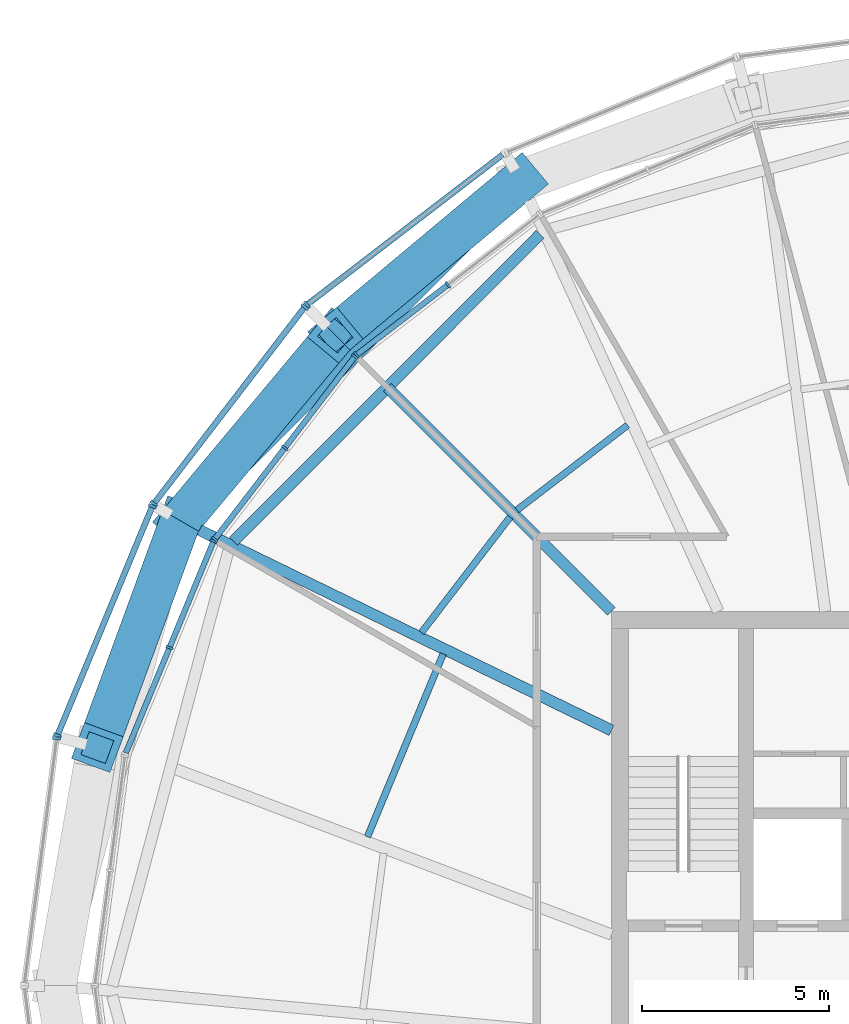
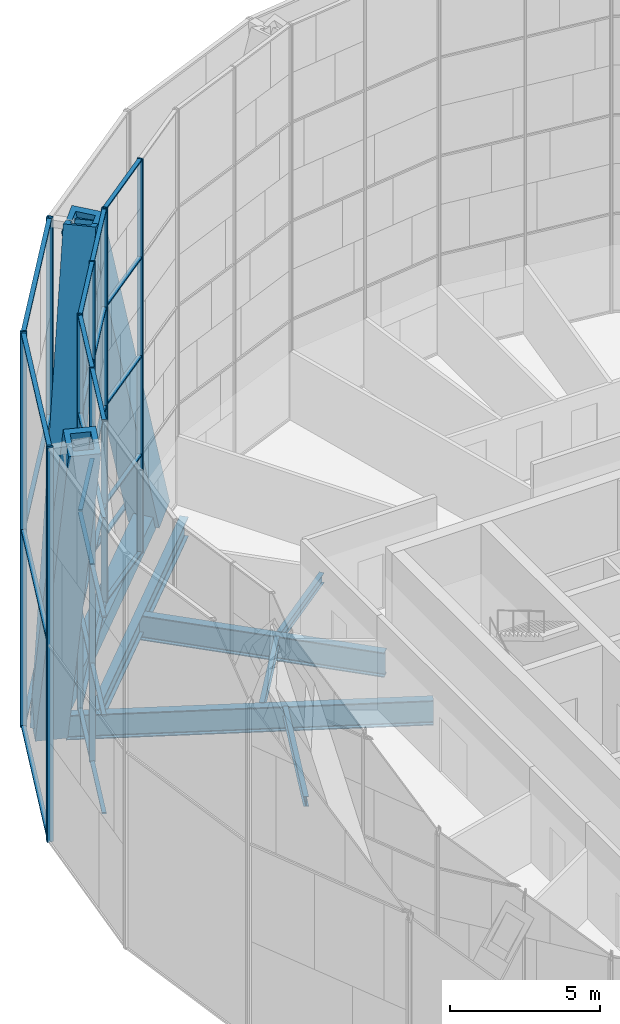
# One storey, part 8 of 28: 48 members, 7 beams, 7 elements without a shape of their own.
"""IFC4 building model written with IfcOpenShell, lengths in metres."""

from ifc_helpers import new_model, si_unit, direction, frame, origin, origin_2d, place, context, subcontext, project, spatial, rectangle, hollow_rectangle, i_section, extrude, material, material_profile, profile_set, type_object, element, aggregate, save


model = new_model("IFC4")

# Units and contexts
model_context = context("Model", 3, precision=1e-05, world=origin(), true_north=direction((0.0, 1.0)))
body_context = subcontext(model_context, "Body", "Model", "MODEL_VIEW")
ifc_project = project(units=[si_unit("LENGTHUNIT", "METRE"), si_unit("AREAUNIT", "SQUARE_METRE"), si_unit("VOLUMEUNIT", "CUBIC_METRE"), si_unit("PLANEANGLEUNIT", "RADIAN"), si_unit("MASSUNIT", "GRAM", prefix="KILO")], contexts=[model_context])

# Site, building, storey
site_placement = place(None, origin())
site = spatial("IfcSite", under=ifc_project, at=site_placement, CompositionType="ELEMENT")
building_placement = place(site_placement, origin())
building = spatial("IfcBuilding", under=site, at=building_placement, Name="Golbaran Civic Tower", CompositionType="ELEMENT")
storey_placement = place(building_placement, frame((0.0, 0.0, 183.0)))
storey = spatial("IfcBuildingStorey", under=building, at=storey_placement, Name="L44", CompositionType="ELEMENT", Elevation=183.0)

# Members
ifc_material_1 = material(Name="Steel S355", Category="steel")
ifc_material_profile_1 = material_profile(ifc_material_1, hollow_rectangle(XDim=1.10009765625, YDim=1.10009765625, WallThickness=0.199951171875, at=origin_2d()), Name="BOX 1100x1100x200")
ifc_profile_set_1 = profile_set([ifc_material_profile_1], Name="Steel S355")
member_type_1 = type_object("IfcMemberType", Name="DIAGRID DIAGONAL BOX 1100x1100x200", PredefinedType="BRACE", material=ifc_profile_set_1)
for number, where, z_axis, x_axis, name in (
    (1, (-12.423583984375, 21.51806640625, -0.7099609375), (-0.287218522204, -0.239886471914, 0.927340283335), (0.641031997067, -0.767514155398, 0.0), "Diagonal D10-04R L44-L48"),
    (2, (-21.51806640625, 12.423583984375, -0.7099609375), (-0.128807878317, -0.351359818356, 0.927337483621), (0.938897090127, -0.344197986848, 0.0), "Diagonal D10-05R L44-L48"),
    (3, (-21.51806640625, 12.423583984375, -0.7099609375), (0.239886471914, 0.287218522204, 0.927340283335), (-0.767514155398, 0.641031997067, 0.0), "Diagonal D10-05L L44-L48"),
):
    element("IfcMember", number, at=place(storey_placement, frame(where, z_axis=z_axis, x_axis=x_axis)), inside=storey, type_object=member_type_1, Name=name, PredefinedType="BRACE", context=body_context, shape_type="SweptSolid", body=[
        extrude(hollow_rectangle(XDim=1.10009765625, YDim=1.10009765625, WallThickness=0.199951171875, at=origin_2d()), origin(), (0.0, 0.0, 1.0), 17.253662109375),
    ])

# Beams
ifc_material_profile_2 = material_profile(ifc_material_1, hollow_rectangle(XDim=0.699951171875, YDim=0.699951171875, WallThickness=0.080078125, at=origin_2d()), Name="BOX 700x700x80")
ifc_profile_set_2 = profile_set([ifc_material_profile_2], Name="Steel S355")
beam_type_1 = type_object("IfcBeamType", Name="DIAGRID RING TIE BOX 700x700x80", PredefinedType="BEAM", material=ifc_profile_set_2)
beam_1_placement = place(storey_placement, frame((-12.423583984375, 21.51806640625, -0.7099609375), z_axis=(-0.707106781187, -0.707106781187, 0.0), x_axis=(0.707106781187, -0.707106781187, 0.0)))
element("IfcBeam", 4, at=beam_1_placement, inside=storey, type_object=beam_type_1, Name="Ring tie 120.00 L44", PredefinedType="BEAM", context=body_context, shape_type="SweptSolid", body=[
    extrude(hollow_rectangle(XDim=0.699951171875, YDim=0.699951171875, WallThickness=0.080078125, at=origin_2d()), origin(), (0.0, 0.0, 1.0), 12.861572265625),
])
ifc_material_profile_3 = material_profile(ifc_material_1, i_section(OverallWidth=0.300048828125, OverallDepth=0.800048828125, WebThickness=0.017578125, FlangeThickness=0.032958984375, FilletRadius=0.030029296875, at=origin_2d()), Name="HEB 800")
ifc_profile_set_3 = profile_set([ifc_material_profile_3], Name="Steel S355")
beam_type_2 = type_object("IfcBeamType", Name="EDGE BEAM HEB 800", PredefinedType="BEAM", material=ifc_profile_set_3)
beam_2_placement = place(storey_placement, frame((-11.906494140625, 20.07861328125, -0.60009765625), z_axis=(-0.706601088042, -0.707612112939, 0.0), x_axis=(0.707612112939, -0.706601088042, 0.0)))
element("IfcBeam", 5, at=beam_2_placement, inside=storey, type_object=beam_type_2, Name="Edge beam 120.00 L44", PredefinedType="BEAM", context=body_context, shape_type="SweptSolid", body=[
    extrude(i_section(OverallWidth=0.300048828125, OverallDepth=0.800048828125, WebThickness=0.017578125, FlangeThickness=0.032958984375, FilletRadius=0.030029296875, at=origin_2d()), origin(), (0.0, 0.0, 1.0), 11.591064453125),
])
ifc_material_profile_4 = material_profile(ifc_material_1, i_section(OverallWidth=0.179931640625, OverallDepth=0.39990234375, WebThickness=0.008544921875, FlangeThickness=0.013427734375, FilletRadius=0.02099609375, at=origin_2d()), Name="IPE 400")
ifc_profile_set_4 = profile_set([ifc_material_profile_4], Name="Steel S355")
beam_type_3 = type_object("IfcBeamType", Name="FLOOR INFILL BEAM IPE 400", PredefinedType="BEAM", material=ifc_profile_set_4)
beam_3_placement = place(storey_placement, frame((-9.568115234375, 14.977783203125, -0.39990234375), z_axis=(-0.793380688002, -0.60872578712, 0.0), x_axis=(0.60872578712, -0.793380688002, 0.0)))
element("IfcBeam", 6, at=beam_3_placement, inside=storey, type_object=beam_type_3, Name="Infill beam 127.50 L44", PredefinedType="BEAM", context=body_context, shape_type="SweptSolid", body=[
    extrude(i_section(OverallWidth=0.179931640625, OverallDepth=0.39990234375, WebThickness=0.008544921875, FlangeThickness=0.013427734375, FilletRadius=0.02099609375, at=origin_2d()), origin(), (0.0, 0.0, 1.0), 3.72705078125),
])
beam_4_placement = place(storey_placement, frame((-12.707275390625, 12.5234375, -0.39990234375), z_axis=(-0.608764623827, -0.79335088881, 0.0), x_axis=(0.79335088881, -0.608764623827, 0.0)))
element("IfcBeam", 7, at=beam_4_placement, inside=storey, type_object=beam_type_3, Name="Infill beam 142.50 L44", PredefinedType="BEAM", context=body_context, shape_type="SweptSolid", body=[
    extrude(i_section(OverallWidth=0.179931640625, OverallDepth=0.39990234375, WebThickness=0.008544921875, FlangeThickness=0.013427734375, FilletRadius=0.02099609375, at=origin_2d()), origin(), (0.0, 0.0, 1.0), 3.892578125),
])
beam_5_placement = place(storey_placement, frame((-14.496826171875, 8.864013671875, -0.39990234375), z_axis=(-0.38267390368, -0.923883479364, 0.0), x_axis=(0.923883479364, -0.38267390368, 0.0)))
element("IfcBeam", 8, at=beam_5_placement, inside=storey, type_object=beam_type_3, Name="Infill beam 157.50 L44", PredefinedType="BEAM", context=body_context, shape_type="SweptSolid", body=[
    extrude(i_section(OverallWidth=0.179931640625, OverallDepth=0.39990234375, WebThickness=0.008544921875, FlangeThickness=0.013427734375, FilletRadius=0.02099609375, at=origin_2d()), origin(), (0.0, 0.0, 1.0), 5.288330078125),
])

# Curtain wall, members
ifc_material_2 = material(Name="Aluminium and glass", Category="aluminium")
curtain_wall_type_1 = type_object("IfcCurtainWallType", Name="INNER SKIN CURTAIN WALL EXECUTIVE", PredefinedType="NOTDEFINED", material=ifc_material_2)
curtain_wall_1_placement = place(storey_placement, origin())
curtain_wall_1 = element("IfcCurtainWall", 9, at=curtain_wall_1_placement, inside=storey, type_object=curtain_wall_type_1, Name="Inner skin L44 facet 9 CW2", ObjectType="INNER SKIN", PredefinedType="USERDEFINED")
ifc_material_3 = material(Name="Aluminium", Category="aluminium")
ifc_material_profile_5 = material_profile(ifc_material_3, rectangle(XDim=0.199951171875, YDim=0.06005859375, at=origin_2d()), Name="INNER SKIN CURTAIN WALL EXECUTIVE MULLION")
ifc_profile_set_5 = profile_set([ifc_material_profile_5], Name="Aluminium")
member_type_2 = type_object("IfcMemberType", Name="INNER SKIN CURTAIN WALL EXECUTIVE MULLION", PredefinedType="MULLION", material=ifc_profile_set_5)
member_1_placement = place(storey_placement, frame((-14.371826171875, 18.729736328125, 0.0), z_axis=(0.0, 0.0, 1.0), x_axis=(0.608761428953, -0.793353340334, 0.0)))
member_1 = element("IfcMember", 10, at=member_1_placement, type_object=member_type_2, Name="CW2 mullion 2", PredefinedType="MULLION", context=body_context, shape_type="SweptSolid", body=[
    extrude(rectangle(XDim=0.199951171875, YDim=0.06005859375, at=origin_2d()), origin(), (0.0, 0.0, 1.0), 16.0),
])
member_2_placement = place(storey_placement, frame((-16.813720703125, 16.85595703125, 0.0), z_axis=(0.0, 0.0, 1.0), x_axis=(0.608761428953, -0.793353340334, 0.0)))
member_2 = element("IfcMember", 11, at=member_2_placement, type_object=member_type_2, Name="CW2 mullion 3", PredefinedType="MULLION", context=body_context, shape_type="SweptSolid", body=[
    extrude(rectangle(XDim=0.199951171875, YDim=0.06005859375, at=origin_2d()), origin(), (0.0, 0.0, 1.0), 16.0),
])

curtain_wall_2_placement = place(storey_placement, origin())
curtain_wall_2 = element("IfcCurtainWall", 12, at=curtain_wall_2_placement, inside=storey, type_object=curtain_wall_type_1, Name="Inner skin L44 facet 10 CW2", ObjectType="INNER SKIN", PredefinedType="USERDEFINED")
member_3_placement = place(storey_placement, frame((-16.85595703125, 16.813720703125, 0.0), z_axis=(0.0, 0.0, 1.0), x_axis=(0.793353340334, -0.608761428953, 0.0)))
member_3 = element("IfcMember", 13, at=member_3_placement, type_object=member_type_2, Name="CW2 mullion 1", PredefinedType="MULLION", context=body_context, shape_type="SweptSolid", body=[
    extrude(rectangle(XDim=0.199951171875, YDim=0.06005859375, at=origin_2d()), origin(), (0.0, 0.0, 1.0), 16.0),
])
member_4_placement = place(storey_placement, frame((-18.729736328125, 14.371826171875, 0.0), z_axis=(0.0, 0.0, 1.0), x_axis=(0.793353340334, -0.608761428953, 0.0)))
member_4 = element("IfcMember", 14, at=member_4_placement, type_object=member_type_2, Name="CW2 mullion 2", PredefinedType="MULLION", context=body_context, shape_type="SweptSolid", body=[
    extrude(rectangle(XDim=0.199951171875, YDim=0.06005859375, at=origin_2d()), origin(), (0.0, 0.0, 1.0), 16.0),
])
member_5_placement = place(storey_placement, frame((-20.603515625, 11.9296875, 0.0), z_axis=(0.0, 0.0, 1.0), x_axis=(0.793353340334, -0.608761428953, 0.0)))
member_5 = element("IfcMember", 15, at=member_5_placement, type_object=member_type_2, Name="CW2 mullion 3", PredefinedType="MULLION", context=body_context, shape_type="SweptSolid", body=[
    extrude(rectangle(XDim=0.199951171875, YDim=0.06005859375, at=origin_2d()), origin(), (0.0, 0.0, 1.0), 16.0),
])

curtain_wall_3_placement = place(storey_placement, origin())
curtain_wall_3 = element("IfcCurtainWall", 16, at=curtain_wall_3_placement, inside=storey, type_object=curtain_wall_type_1, Name="Inner skin L44 facet 11 CW2", ObjectType="INNER SKIN", PredefinedType="USERDEFINED")
member_6_placement = place(storey_placement, frame((-20.63330078125, 11.878173828125, 0.0), z_axis=(0.0, 0.0, 1.0), x_axis=(0.923879532491, -0.382683432413, 0.0)))
member_6 = element("IfcMember", 17, at=member_6_placement, type_object=member_type_2, Name="CW2 mullion 1", PredefinedType="MULLION", context=body_context, shape_type="SweptSolid", body=[
    extrude(rectangle(XDim=0.199951171875, YDim=0.06005859375, at=origin_2d()), origin(), (0.0, 0.0, 1.0), 16.0),
])
member_7_placement = place(storey_placement, frame((-21.811279296875, 9.034423828125, 0.0), z_axis=(0.0, 0.0, 1.0), x_axis=(0.923879532491, -0.382683432413, 0.0)))
member_7 = element("IfcMember", 18, at=member_7_placement, type_object=member_type_2, Name="CW2 mullion 2", PredefinedType="MULLION", context=body_context, shape_type="SweptSolid", body=[
    extrude(rectangle(XDim=0.199951171875, YDim=0.06005859375, at=origin_2d()), origin(), (0.0, 0.0, 1.0), 16.0),
])

# Member
ifc_material_profile_6 = material_profile(ifc_material_3, rectangle(XDim=0.14990234375, YDim=0.06005859375, at=origin_2d()), Name="INNER SKIN CURTAIN WALL EXECUTIVE TRANSOM")
ifc_profile_set_6 = profile_set([ifc_material_profile_6], Name="Aluminium")
member_type_3 = type_object("IfcMemberType", Name="INNER SKIN CURTAIN WALL EXECUTIVE TRANSOM", PredefinedType="USERDEFINED", material=ifc_profile_set_6)
member_8_placement = place(storey_placement, frame((-14.3955078125, 18.71142578125, 0.030029296875), z_axis=(-0.793390183707, -0.608713410726, 0.0), x_axis=(0.608713410726, -0.793390183707, 0.0)))
member_8 = element("IfcMember", 19, at=member_8_placement, type_object=member_type_3, Name="CW2 transom 2.1", ObjectType="TRANSOM", PredefinedType="USERDEFINED", context=body_context, shape_type="SweptSolid", body=[
    extrude(rectangle(XDim=0.14990234375, YDim=0.06005859375, at=origin_2d()), origin(), (0.0, 0.0, 1.0), 3.01806640625),
])

member_9_placement = place(storey_placement, frame((-14.3955078125, 18.71142578125, 4.0), z_axis=(-0.793390183707, -0.608713410726, 0.0), x_axis=(0.608713410726, -0.793390183707, 0.0)))
member_9 = element("IfcMember", 20, at=member_9_placement, type_object=member_type_3, Name="CW2 transom 2.2", ObjectType="TRANSOM", PredefinedType="USERDEFINED", context=body_context, shape_type="SweptSolid", body=[
    extrude(rectangle(XDim=0.14990234375, YDim=0.06005859375, at=origin_2d()), origin(), (0.0, 0.0, 1.0), 3.01806640625),
])

member_10_placement = place(storey_placement, frame((-14.3955078125, 18.71142578125, 8.0), z_axis=(-0.793390183707, -0.608713410726, 0.0), x_axis=(0.608713410726, -0.793390183707, 0.0)))
member_10 = element("IfcMember", 21, at=member_10_placement, type_object=member_type_3, Name="CW2 transom 2.3", ObjectType="TRANSOM", PredefinedType="USERDEFINED", context=body_context, shape_type="SweptSolid", body=[
    extrude(rectangle(XDim=0.14990234375, YDim=0.06005859375, at=origin_2d()), origin(), (0.0, 0.0, 1.0), 3.01806640625),
])

member_11_placement = place(storey_placement, frame((-14.3955078125, 18.71142578125, 12.0), z_axis=(-0.793390183707, -0.608713410726, 0.0), x_axis=(0.608713410726, -0.793390183707, 0.0)))
member_11 = element("IfcMember", 22, at=member_11_placement, type_object=member_type_3, Name="CW2 transom 2.4", ObjectType="TRANSOM", PredefinedType="USERDEFINED", context=body_context, shape_type="SweptSolid", body=[
    extrude(rectangle(XDim=0.14990234375, YDim=0.06005859375, at=origin_2d()), origin(), (0.0, 0.0, 1.0), 3.01806640625),
])

member_12_placement = place(storey_placement, frame((-14.3955078125, 18.71142578125, 15.969970703125), z_axis=(-0.793390183707, -0.608713410726, 0.0), x_axis=(0.608713410726, -0.793390183707, 0.0)))
member_12 = element("IfcMember", 23, at=member_12_placement, type_object=member_type_3, Name="CW2 transom 2.5", ObjectType="TRANSOM", PredefinedType="USERDEFINED", context=body_context, shape_type="SweptSolid", body=[
    extrude(rectangle(XDim=0.14990234375, YDim=0.06005859375, at=origin_2d()), origin(), (0.0, 0.0, 1.0), 3.01806640625),
])

aggregate(curtain_wall_1, [member_1, member_2, member_8, member_9, member_10, member_11, member_12])

member_13_placement = place(storey_placement, frame((-16.874267578125, 16.7900390625, 0.030029296875), z_axis=(-0.608713410726, -0.793390183707, 0.0), x_axis=(0.793390183707, -0.608713410726, 0.0)))
member_13 = element("IfcMember", 24, at=member_13_placement, type_object=member_type_3, Name="CW2 transom 1.1", ObjectType="TRANSOM", PredefinedType="USERDEFINED", context=body_context, shape_type="SweptSolid", body=[
    extrude(rectangle(XDim=0.14990234375, YDim=0.06005859375, at=origin_2d()), origin(), (0.0, 0.0, 1.0), 3.01806640625),
])

member_14_placement = place(storey_placement, frame((-16.874267578125, 16.7900390625, 4.0), z_axis=(-0.608713410726, -0.793390183707, 0.0), x_axis=(0.793390183707, -0.608713410726, 0.0)))
member_14 = element("IfcMember", 25, at=member_14_placement, type_object=member_type_3, Name="CW2 transom 1.2", ObjectType="TRANSOM", PredefinedType="USERDEFINED", context=body_context, shape_type="SweptSolid", body=[
    extrude(rectangle(XDim=0.14990234375, YDim=0.06005859375, at=origin_2d()), origin(), (0.0, 0.0, 1.0), 3.01806640625),
])

member_15_placement = place(storey_placement, frame((-16.874267578125, 16.7900390625, 8.0), z_axis=(-0.608713410726, -0.793390183707, 0.0), x_axis=(0.793390183707, -0.608713410726, 0.0)))
member_15 = element("IfcMember", 26, at=member_15_placement, type_object=member_type_3, Name="CW2 transom 1.3", ObjectType="TRANSOM", PredefinedType="USERDEFINED", context=body_context, shape_type="SweptSolid", body=[
    extrude(rectangle(XDim=0.14990234375, YDim=0.06005859375, at=origin_2d()), origin(), (0.0, 0.0, 1.0), 3.01806640625),
])

member_16_placement = place(storey_placement, frame((-16.874267578125, 16.7900390625, 12.0), z_axis=(-0.608713410726, -0.793390183707, 0.0), x_axis=(0.793390183707, -0.608713410726, 0.0)))
member_16 = element("IfcMember", 27, at=member_16_placement, type_object=member_type_3, Name="CW2 transom 1.4", ObjectType="TRANSOM", PredefinedType="USERDEFINED", context=body_context, shape_type="SweptSolid", body=[
    extrude(rectangle(XDim=0.14990234375, YDim=0.06005859375, at=origin_2d()), origin(), (0.0, 0.0, 1.0), 3.01806640625),
])

member_17_placement = place(storey_placement, frame((-16.874267578125, 16.7900390625, 15.969970703125), z_axis=(-0.608713410726, -0.793390183707, 0.0), x_axis=(0.793390183707, -0.608713410726, 0.0)))
member_17 = element("IfcMember", 28, at=member_17_placement, type_object=member_type_3, Name="CW2 transom 1.5", ObjectType="TRANSOM", PredefinedType="USERDEFINED", context=body_context, shape_type="SweptSolid", body=[
    extrude(rectangle(XDim=0.14990234375, YDim=0.06005859375, at=origin_2d()), origin(), (0.0, 0.0, 1.0), 3.01806640625),
])

member_18_placement = place(storey_placement, frame((-18.748046875, 14.347900390625, 0.030029296875), z_axis=(-0.608752479135, -0.793360207691, 0.0), x_axis=(0.793360207691, -0.608752479135, 0.0)))
member_18 = element("IfcMember", 29, at=member_18_placement, type_object=member_type_3, Name="CW2 transom 2.1", ObjectType="TRANSOM", PredefinedType="USERDEFINED", context=body_context, shape_type="SweptSolid", body=[
    extrude(rectangle(XDim=0.14990234375, YDim=0.06005859375, at=origin_2d()), origin(), (0.0, 0.0, 1.0), 3.017822265625),
])

member_19_placement = place(storey_placement, frame((-18.748046875, 14.347900390625, 4.0), z_axis=(-0.608752479135, -0.793360207691, 0.0), x_axis=(0.793360207691, -0.608752479135, 0.0)))
member_19 = element("IfcMember", 30, at=member_19_placement, type_object=member_type_3, Name="CW2 transom 2.2", ObjectType="TRANSOM", PredefinedType="USERDEFINED", context=body_context, shape_type="SweptSolid", body=[
    extrude(rectangle(XDim=0.14990234375, YDim=0.06005859375, at=origin_2d()), origin(), (0.0, 0.0, 1.0), 3.017822265625),
])

member_20_placement = place(storey_placement, frame((-18.748046875, 14.347900390625, 8.0), z_axis=(-0.608752479135, -0.793360207691, 0.0), x_axis=(0.793360207691, -0.608752479135, 0.0)))
member_20 = element("IfcMember", 31, at=member_20_placement, type_object=member_type_3, Name="CW2 transom 2.3", ObjectType="TRANSOM", PredefinedType="USERDEFINED", context=body_context, shape_type="SweptSolid", body=[
    extrude(rectangle(XDim=0.14990234375, YDim=0.06005859375, at=origin_2d()), origin(), (0.0, 0.0, 1.0), 3.017822265625),
])

member_21_placement = place(storey_placement, frame((-18.748046875, 14.347900390625, 12.0), z_axis=(-0.608752479135, -0.793360207691, 0.0), x_axis=(0.793360207691, -0.608752479135, 0.0)))
member_21 = element("IfcMember", 32, at=member_21_placement, type_object=member_type_3, Name="CW2 transom 2.4", ObjectType="TRANSOM", PredefinedType="USERDEFINED", context=body_context, shape_type="SweptSolid", body=[
    extrude(rectangle(XDim=0.14990234375, YDim=0.06005859375, at=origin_2d()), origin(), (0.0, 0.0, 1.0), 3.017822265625),
])

member_22_placement = place(storey_placement, frame((-18.748046875, 14.347900390625, 15.969970703125), z_axis=(-0.608752479135, -0.793360207691, 0.0), x_axis=(0.793360207691, -0.608752479135, 0.0)))
member_22 = element("IfcMember", 33, at=member_22_placement, type_object=member_type_3, Name="CW2 transom 2.5", ObjectType="TRANSOM", PredefinedType="USERDEFINED", context=body_context, shape_type="SweptSolid", body=[
    extrude(rectangle(XDim=0.14990234375, YDim=0.06005859375, at=origin_2d()), origin(), (0.0, 0.0, 1.0), 3.017822265625),
])

aggregate(curtain_wall_2, [member_3, member_4, member_5, member_13, member_14, member_15, member_16, member_17, member_18, member_19, member_20, member_21, member_22])

member_23_placement = place(storey_placement, frame((-20.644775390625, 11.8505859375, 0.030029296875), z_axis=(-0.382701860943, -0.923871898929, 0.0), x_axis=(0.923871898929, -0.382701860943, 0.0)))
member_23 = element("IfcMember", 34, at=member_23_placement, type_object=member_type_3, Name="CW2 transom 1.1", ObjectType="TRANSOM", PredefinedType="USERDEFINED", context=body_context, shape_type="SweptSolid", body=[
    extrude(rectangle(XDim=0.14990234375, YDim=0.06005859375, at=origin_2d()), origin(), (0.0, 0.0, 1.0), 3.01806640625),
])

member_24_placement = place(storey_placement, frame((-20.644775390625, 11.8505859375, 4.0), z_axis=(-0.382701860943, -0.923871898929, 0.0), x_axis=(0.923871898929, -0.382701860943, 0.0)))
member_24 = element("IfcMember", 35, at=member_24_placement, type_object=member_type_3, Name="CW2 transom 1.2", ObjectType="TRANSOM", PredefinedType="USERDEFINED", context=body_context, shape_type="SweptSolid", body=[
    extrude(rectangle(XDim=0.14990234375, YDim=0.06005859375, at=origin_2d()), origin(), (0.0, 0.0, 1.0), 3.01806640625),
])

member_25_placement = place(storey_placement, frame((-20.644775390625, 11.8505859375, 8.0), z_axis=(-0.382701860943, -0.923871898929, 0.0), x_axis=(0.923871898929, -0.382701860943, 0.0)))
member_25 = element("IfcMember", 36, at=member_25_placement, type_object=member_type_3, Name="CW2 transom 1.3", ObjectType="TRANSOM", PredefinedType="USERDEFINED", context=body_context, shape_type="SweptSolid", body=[
    extrude(rectangle(XDim=0.14990234375, YDim=0.06005859375, at=origin_2d()), origin(), (0.0, 0.0, 1.0), 3.01806640625),
])

member_26_placement = place(storey_placement, frame((-20.644775390625, 11.8505859375, 12.0), z_axis=(-0.382701860943, -0.923871898929, 0.0), x_axis=(0.923871898929, -0.382701860943, 0.0)))
member_26 = element("IfcMember", 37, at=member_26_placement, type_object=member_type_3, Name="CW2 transom 1.4", ObjectType="TRANSOM", PredefinedType="USERDEFINED", context=body_context, shape_type="SweptSolid", body=[
    extrude(rectangle(XDim=0.14990234375, YDim=0.06005859375, at=origin_2d()), origin(), (0.0, 0.0, 1.0), 3.01806640625),
])

member_27_placement = place(storey_placement, frame((-20.644775390625, 11.8505859375, 15.969970703125), z_axis=(-0.382701860943, -0.923871898929, 0.0), x_axis=(0.923871898929, -0.382701860943, 0.0)))
member_27 = element("IfcMember", 38, at=member_27_placement, type_object=member_type_3, Name="CW2 transom 1.5", ObjectType="TRANSOM", PredefinedType="USERDEFINED", context=body_context, shape_type="SweptSolid", body=[
    extrude(rectangle(XDim=0.14990234375, YDim=0.06005859375, at=origin_2d()), origin(), (0.0, 0.0, 1.0), 3.01806640625),
])

member_28_placement = place(storey_placement, frame((-21.82275390625, 9.0068359375, 0.030029296875), z_axis=(-0.382701860943, -0.923871898929, 0.0), x_axis=(0.923871898929, -0.382701860943, 0.0)))
member_28 = element("IfcMember", 39, at=member_28_placement, type_object=member_type_3, Name="CW2 transom 2.1", ObjectType="TRANSOM", PredefinedType="USERDEFINED", context=body_context, shape_type="SweptSolid", body=[
    extrude(rectangle(XDim=0.14990234375, YDim=0.06005859375, at=origin_2d()), origin(), (0.0, 0.0, 1.0), 3.01806640625),
])

member_29_placement = place(storey_placement, frame((-21.82275390625, 9.0068359375, 4.0), z_axis=(-0.382701860943, -0.923871898929, 0.0), x_axis=(0.923871898929, -0.382701860943, 0.0)))
member_29 = element("IfcMember", 40, at=member_29_placement, type_object=member_type_3, Name="CW2 transom 2.2", ObjectType="TRANSOM", PredefinedType="USERDEFINED", context=body_context, shape_type="SweptSolid", body=[
    extrude(rectangle(XDim=0.14990234375, YDim=0.06005859375, at=origin_2d()), origin(), (0.0, 0.0, 1.0), 3.01806640625),
])

member_30_placement = place(storey_placement, frame((-21.82275390625, 9.0068359375, 8.0), z_axis=(-0.382701860943, -0.923871898929, 0.0), x_axis=(0.923871898929, -0.382701860943, 0.0)))
member_30 = element("IfcMember", 41, at=member_30_placement, type_object=member_type_3, Name="CW2 transom 2.3", ObjectType="TRANSOM", PredefinedType="USERDEFINED", context=body_context, shape_type="SweptSolid", body=[
    extrude(rectangle(XDim=0.14990234375, YDim=0.06005859375, at=origin_2d()), origin(), (0.0, 0.0, 1.0), 3.01806640625),
])

member_31_placement = place(storey_placement, frame((-21.82275390625, 9.0068359375, 12.0), z_axis=(-0.382701860943, -0.923871898929, 0.0), x_axis=(0.923871898929, -0.382701860943, 0.0)))
member_31 = element("IfcMember", 42, at=member_31_placement, type_object=member_type_3, Name="CW2 transom 2.4", ObjectType="TRANSOM", PredefinedType="USERDEFINED", context=body_context, shape_type="SweptSolid", body=[
    extrude(rectangle(XDim=0.14990234375, YDim=0.06005859375, at=origin_2d()), origin(), (0.0, 0.0, 1.0), 3.01806640625),
])

member_32_placement = place(storey_placement, frame((-21.82275390625, 9.0068359375, 15.969970703125), z_axis=(-0.382701860943, -0.923871898929, 0.0), x_axis=(0.923871898929, -0.382701860943, 0.0)))
member_32 = element("IfcMember", 43, at=member_32_placement, type_object=member_type_3, Name="CW2 transom 2.5", ObjectType="TRANSOM", PredefinedType="USERDEFINED", context=body_context, shape_type="SweptSolid", body=[
    extrude(rectangle(XDim=0.14990234375, YDim=0.06005859375, at=origin_2d()), origin(), (0.0, 0.0, 1.0), 3.01806640625),
])

aggregate(curtain_wall_3, [member_6, member_7, member_23, member_24, member_25, member_26, member_27, member_28, member_29, member_30, member_31, member_32])

# Curtain wall, member
curtain_wall_type_2 = type_object("IfcCurtainWallType", Name="OUTER SKIN TERRACOTTA SCREEN", PredefinedType="NOTDEFINED", material=ifc_material_2)
curtain_wall_4_placement = place(storey_placement, origin())
curtain_wall_4 = element("IfcCurtainWall", 44, at=curtain_wall_4_placement, inside=storey, type_object=curtain_wall_type_2, Name="Outer skin L44 facet 9 CW3", ObjectType="OUTER SKIN", PredefinedType="USERDEFINED")
ifc_material_profile_7 = material_profile(ifc_material_3, rectangle(XDim=0.219970703125, YDim=0.080078125, at=origin_2d()), Name="OUTER SKIN TERRACOTTA SCREEN MULLION")
ifc_profile_set_7 = profile_set([ifc_material_profile_7], Name="Aluminium")
member_type_4 = type_object("IfcMemberType", Name="OUTER SKIN TERRACOTTA SCREEN MULLION", PredefinedType="MULLION", material=ifc_profile_set_7)
member_33_placement = place(storey_placement, frame((-18.138671875, 18.19482421875, -0.7099609375), z_axis=(0.0, 0.0, 1.0), x_axis=(0.608761429023, -0.793353340281, 0.0)))
member_33 = element("IfcMember", 45, at=member_33_placement, type_object=member_type_4, Name="CW3 mullion 2", PredefinedType="MULLION", context=body_context, shape_type="SweptSolid", body=[
    extrude(rectangle(XDim=0.219970703125, YDim=0.080078125, at=origin_2d()), origin(), (0.0, 0.0, 1.0), 16.0),
])

# Curtain wall, members
curtain_wall_5_placement = place(storey_placement, origin())
curtain_wall_5 = element("IfcCurtainWall", 46, at=curtain_wall_5_placement, inside=storey, type_object=curtain_wall_type_2, Name="Outer skin L44 facet 10 CW3", ObjectType="OUTER SKIN", PredefinedType="USERDEFINED")
member_34_placement = place(storey_placement, frame((-18.19482421875, 18.138671875, -0.7099609375), z_axis=(0.0, 0.0, 1.0), x_axis=(0.793353340281, -0.608761429023, 0.0)))
member_34 = element("IfcMember", 47, at=member_34_placement, type_object=member_type_4, Name="CW3 mullion 1", PredefinedType="MULLION", context=body_context, shape_type="SweptSolid", body=[
    extrude(rectangle(XDim=0.219970703125, YDim=0.080078125, at=origin_2d()), origin(), (0.0, 0.0, 1.0), 16.0),
])
member_35_placement = place(storey_placement, frame((-22.22998046875, 12.880126953125, -0.7099609375), z_axis=(0.0, 0.0, 1.0), x_axis=(0.793353340281, -0.608761429023, 0.0)))
member_35 = element("IfcMember", 48, at=member_35_placement, type_object=member_type_4, Name="CW3 mullion 2", PredefinedType="MULLION", context=body_context, shape_type="SweptSolid", body=[
    extrude(rectangle(XDim=0.219970703125, YDim=0.080078125, at=origin_2d()), origin(), (0.0, 0.0, 1.0), 16.0),
])

curtain_wall_6_placement = place(storey_placement, origin())
curtain_wall_6 = element("IfcCurtainWall", 49, at=curtain_wall_6_placement, inside=storey, type_object=curtain_wall_type_2, Name="Outer skin L44 facet 11 CW3", ObjectType="OUTER SKIN", PredefinedType="USERDEFINED")
member_36_placement = place(storey_placement, frame((-22.26953125, 12.8115234375, -0.7099609375), z_axis=(0.0, 0.0, 1.0), x_axis=(0.923879532518, -0.382683432349, 0.0)))
member_36 = element("IfcMember", 50, at=member_36_placement, type_object=member_type_4, Name="CW3 mullion 1", PredefinedType="MULLION", context=body_context, shape_type="SweptSolid", body=[
    extrude(rectangle(XDim=0.219970703125, YDim=0.080078125, at=origin_2d()), origin(), (0.0, 0.0, 1.0), 16.0),
])
member_37_placement = place(storey_placement, frame((-24.80615234375, 6.687744140625, -0.7099609375), z_axis=(0.0, 0.0, 1.0), x_axis=(0.923879532518, -0.382683432349, 0.0)))
member_37 = element("IfcMember", 51, at=member_37_placement, type_object=member_type_4, Name="CW3 mullion 2", PredefinedType="MULLION", context=body_context, shape_type="SweptSolid", body=[
    extrude(rectangle(XDim=0.219970703125, YDim=0.080078125, at=origin_2d()), origin(), (0.0, 0.0, 1.0), 16.0),
])

# Curtain wall, member
curtain_wall_7_placement = place(storey_placement, origin())
curtain_wall_7 = element("IfcCurtainWall", 52, at=curtain_wall_7_placement, inside=storey, type_object=curtain_wall_type_2, Name="Outer skin L44 facet 12 CW3", ObjectType="OUTER SKIN", PredefinedType="USERDEFINED")
member_38_placement = place(storey_placement, frame((-24.82666015625, 6.611328125, -0.7099609375), z_axis=(0.0, 0.0, 1.0), x_axis=(0.991444861372, -0.130526192237, 0.0)))
member_38 = element("IfcMember", 53, at=member_38_placement, type_object=member_type_4, Name="CW3 mullion 1", PredefinedType="MULLION", context=body_context, shape_type="SweptSolid", body=[
    extrude(rectangle(XDim=0.219970703125, YDim=0.080078125, at=origin_2d()), origin(), (0.0, 0.0, 1.0), 16.0),
])
aggregate(curtain_wall_7, [member_38])

# Member
ifc_material_profile_8 = material_profile(ifc_material_3, rectangle(XDim=0.159912109375, YDim=0.080078125, at=origin_2d()), Name="OUTER SKIN TERRACOTTA SCREEN TRANSOM")
ifc_profile_set_8 = profile_set([ifc_material_profile_8], Name="Aluminium")
member_type_5 = type_object("IfcMemberType", Name="OUTER SKIN TERRACOTTA SCREEN TRANSOM", PredefinedType="USERDEFINED", material=ifc_profile_set_8)
member_39_placement = place(storey_placement, frame((-12.911865234375, 22.20556640625, -0.669921875), z_axis=(-0.793352457563, -0.608762579401, 0.0), x_axis=(0.608762579401, -0.793352457563, 0.0)))
member_39 = element("IfcMember", 54, at=member_39_placement, type_object=member_type_5, Name="CW3 transom 1.1", ObjectType="TRANSOM", PredefinedType="USERDEFINED", context=body_context, shape_type="SweptSolid", body=[
    extrude(rectangle(XDim=0.159912109375, YDim=0.080078125, at=origin_2d()), origin(), (0.0, 0.0, 1.0), 6.54833984375),
])

aggregate(curtain_wall_4, [member_33, member_39])

member_40_placement = place(storey_placement, frame((-18.21923828125, 18.10693359375, -0.669921875), z_axis=(-0.608762579401, -0.793352457563, 0.0), x_axis=(0.793352457563, -0.608762579401, 0.0)))
member_40 = element("IfcMember", 55, at=member_40_placement, type_object=member_type_5, Name="CW3 transom 1.1", ObjectType="TRANSOM", PredefinedType="USERDEFINED", context=body_context, shape_type="SweptSolid", body=[
    extrude(rectangle(XDim=0.159912109375, YDim=0.080078125, at=origin_2d()), origin(), (0.0, 0.0, 1.0), 6.54833984375),
])

member_41_placement = place(storey_placement, frame((-18.21923828125, 18.10693359375, 7.2900390625), z_axis=(-0.608762579401, -0.793352457563, 0.0), x_axis=(0.793352457563, -0.608762579401, 0.0)))
member_41 = element("IfcMember", 56, at=member_41_placement, type_object=member_type_5, Name="CW3 transom 1.2", ObjectType="TRANSOM", PredefinedType="USERDEFINED", context=body_context, shape_type="SweptSolid", body=[
    extrude(rectangle(XDim=0.159912109375, YDim=0.080078125, at=origin_2d()), origin(), (0.0, 0.0, 1.0), 6.54833984375),
])

member_42_placement = place(storey_placement, frame((-18.21923828125, 18.10693359375, 15.25), z_axis=(-0.608762579401, -0.793352457563, 0.0), x_axis=(0.793352457563, -0.608762579401, 0.0)))
member_42 = element("IfcMember", 57, at=member_42_placement, type_object=member_type_5, Name="CW3 transom 1.3", ObjectType="TRANSOM", PredefinedType="USERDEFINED", context=body_context, shape_type="SweptSolid", body=[
    extrude(rectangle(XDim=0.159912109375, YDim=0.080078125, at=origin_2d()), origin(), (0.0, 0.0, 1.0), 6.54833984375),
])

aggregate(curtain_wall_5, [member_34, member_35, member_40, member_41, member_42])

member_43_placement = place(storey_placement, frame((-22.284912109375, 12.774658203125, -0.669921875), z_axis=(-0.382676683396, -0.923882327997, 0.0), x_axis=(0.923882327997, -0.382676683396, 0.0)))
member_43 = element("IfcMember", 58, at=member_43_placement, type_object=member_type_5, Name="CW3 transom 1.1", ObjectType="TRANSOM", PredefinedType="USERDEFINED", context=body_context, shape_type="SweptSolid", body=[
    extrude(rectangle(XDim=0.159912109375, YDim=0.080078125, at=origin_2d()), origin(), (0.0, 0.0, 1.0), 6.54833984375),
])

member_44_placement = place(storey_placement, frame((-22.284912109375, 12.774658203125, 7.2900390625), z_axis=(-0.382676683396, -0.923882327997, 0.0), x_axis=(0.923882327997, -0.382676683396, 0.0)))
member_44 = element("IfcMember", 59, at=member_44_placement, type_object=member_type_5, Name="CW3 transom 1.2", ObjectType="TRANSOM", PredefinedType="USERDEFINED", context=body_context, shape_type="SweptSolid", body=[
    extrude(rectangle(XDim=0.159912109375, YDim=0.080078125, at=origin_2d()), origin(), (0.0, 0.0, 1.0), 6.54833984375),
])

member_45_placement = place(storey_placement, frame((-22.284912109375, 12.774658203125, 15.25), z_axis=(-0.382676683396, -0.923882327997, 0.0), x_axis=(0.923882327997, -0.382676683396, 0.0)))
member_45 = element("IfcMember", 60, at=member_45_placement, type_object=member_type_5, Name="CW3 transom 1.3", ObjectType="TRANSOM", PredefinedType="USERDEFINED", context=body_context, shape_type="SweptSolid", body=[
    extrude(rectangle(XDim=0.159912109375, YDim=0.080078125, at=origin_2d()), origin(), (0.0, 0.0, 1.0), 6.54833984375),
])

aggregate(curtain_wall_6, [member_36, member_37, member_43, member_44, member_45])

# Beams
ifc_material_profile_9 = material_profile(ifc_material_1, i_section(OverallWidth=0.300048828125, OverallDepth=1.0, WebThickness=0.01904296875, FlangeThickness=0.035888671875, FilletRadius=0.030029296875, at=origin_2d()), Name="HEB 1000")
ifc_profile_set_9 = profile_set([ifc_material_profile_9], Name="Steel S355")
beam_type_4 = type_object("IfcBeamType", Name="RADIAL FLOOR BEAM HEB 1000", PredefinedType="BEAM", material=ifc_profile_set_9)
beam_6_placement = place(storey_placement, frame((-10.0, 6.821533203125, -0.7099609375), z_axis=(-0.899283428873, 0.437366339074, 0.0), x_axis=(-0.437366339074, -0.899283428873, 0.0)))
element("IfcBeam", 61, at=beam_6_placement, inside=storey, type_object=beam_type_4, Name="Radial beam 150.00 L44", PredefinedType="BEAM", context=body_context, shape_type="SweptSolid", body=[
    extrude(i_section(OverallWidth=0.300048828125, OverallDepth=1.0, WebThickness=0.01904296875, FlangeThickness=0.035888671875, FilletRadius=0.030029296875, at=origin_2d()), origin(), (0.0, 0.0, 1.0), 12.241455078125),
])
ifc_material_profile_10 = material_profile(ifc_material_1, i_section(OverallWidth=0.300048828125, OverallDepth=1.0, WebThickness=0.01904296875, FlangeThickness=0.035888671875, FilletRadius=0.030029296875, at=origin_2d()), Name="HEB 1000")
ifc_profile_set_10 = profile_set([ifc_material_profile_10], Name="Steel S355")
beam_type_5 = type_object("IfcBeamType", Name="SECONDARY FLOOR BEAM HEB 1000", PredefinedType="BEAM", material=ifc_profile_set_10)
beam_7_placement = place(storey_placement, frame((-10.0, 10.0, -0.7099609375), z_axis=(-0.707106781187, 0.707106781187, 0.0), x_axis=(-0.707106781187, -0.707106781187, 0.0)))
element("IfcBeam", 62, at=beam_7_placement, inside=storey, type_object=beam_type_5, Name="Secondary beam 135.00 L44", PredefinedType="BEAM", context=body_context, shape_type="SweptSolid", body=[
    extrude(i_section(OverallWidth=0.300048828125, OverallDepth=1.0, WebThickness=0.01904296875, FlangeThickness=0.035888671875, FilletRadius=0.030029296875, at=origin_2d()), origin(), (0.0, 0.0, 1.0), 8.470703125),
])

save(model, "model.ifc")
